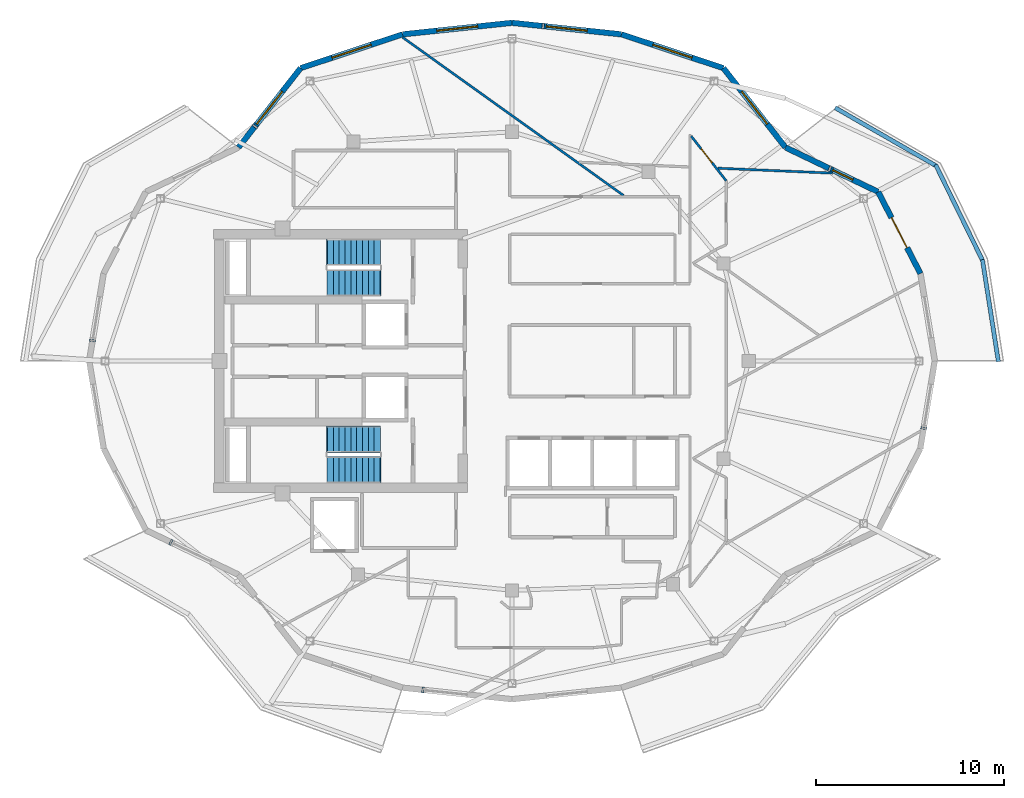
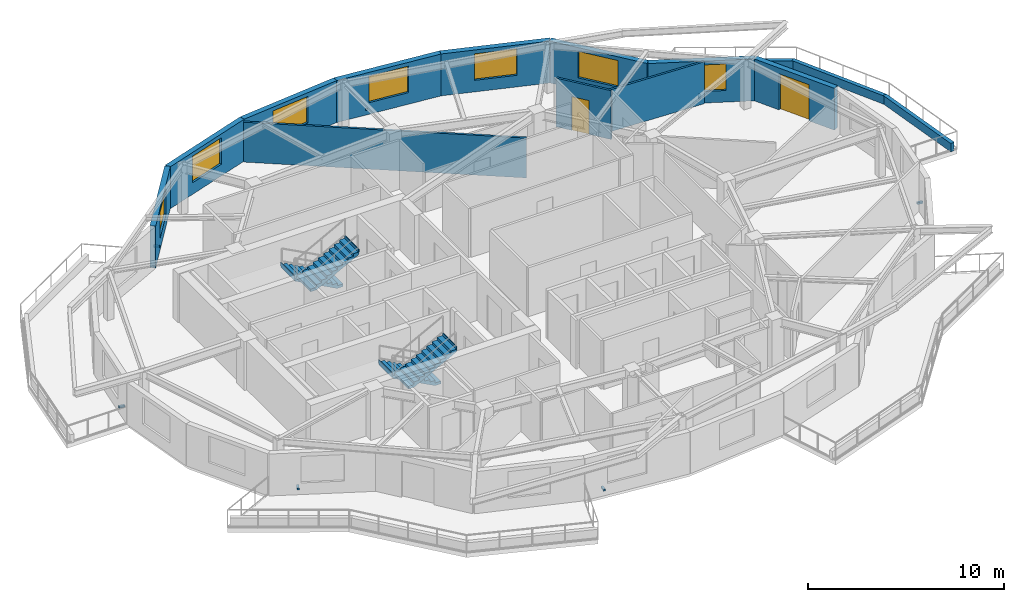
# One storey, part 7 of 9: 14 walls, 7 discrete accessories, 7 windows, 4 stair flights, 2 doors, 9 openings, 2 elements without a shape of their own.
"""IFC4 building model written with IfcOpenShell, lengths in metres."""

from ifc_helpers import new_model, si_unit, direction, frame, frame_2d, origin, origin_2d, place, context, subcontext, project, spatial, polyline, rectangle, outline, extrude, material, layer, layer_set, type_object, element, fill, aggregate, save


model = new_model("IFC4")

# Units and contexts
model_context = context("Model", 3, precision=1e-05, world=origin(), true_north=direction((0.0, 1.0)))
body_context = subcontext(model_context, "Body", "Model", "MODEL_VIEW")
ifc_project = project(units=[si_unit("LENGTHUNIT", "METRE"), si_unit("AREAUNIT", "SQUARE_METRE"), si_unit("VOLUMEUNIT", "CUBIC_METRE"), si_unit("PLANEANGLEUNIT", "RADIAN"), si_unit("MASSUNIT", "GRAM", prefix="KILO")], contexts=[model_context])

# Site, building, storey
site_placement = place(None, origin())
site = spatial("IfcSite", under=ifc_project, at=site_placement, CompositionType="ELEMENT")
building_placement = place(site_placement, origin())
building = spatial("IfcBuilding", under=site, at=building_placement, Name="Kolvaren Gate Tower and Convention Centre", CompositionType="ELEMENT")
storey_placement = place(building_placement, frame((0.0, 0.0, 249.199951171875)))
storey = spatial("IfcBuildingStorey", under=building, at=storey_placement, Name="L67", CompositionType="ELEMENT", Elevation=249.199951171875)

# Wall, opening, door
ifc_material_1 = material(Name="Fire-Rated Acoustic Gypsum Stud Partition", Category="gypsum")
ifc_layer_1 = layer(ifc_material_1, 0.1201171875)
ifc_layer_set_1 = layer_set([ifc_layer_1], Name="Fire-Rated Acoustic Gypsum Stud Partition")
wall_type_1 = type_object("IfcWallType", Name="ARCH-WL-PART-120", PredefinedType="PARTITIONING", material=ifc_layer_set_1)
wall_1_placement = place(storey_placement, frame((39.662109375, 38.96875, 0.0), z_axis=(0.0, 0.0, 1.0), x_axis=(0.616500468458, -0.787354540465, 0.0)))
wall_1 = element("IfcWall", 1, at=wall_1_placement, inside=storey, type_object=wall_type_1, Name="Interior Partition WL-L67-INT-037", PredefinedType="PARTITIONING", context=body_context, shape_type="SweptSolid", body=[
    extrude(rectangle(XDim=3.013671875, YDim=0.1201171875, at=frame_2d((1.5068359375, 0.0))), origin(), (0.0, 0.0, 1.0), 3.030029296875),
])
opening_1_placement = place(wall_1_placement, frame((0.84912109375, 0.0, 0.0)))
opening_1 = element("IfcOpeningElement", 2, at=opening_1_placement, cuts=wall_1, Name="Opening DR-01", PredefinedType="OPENING", context=body_context, shape_type="SweptSolid", body=[
    extrude(rectangle(XDim=0.949951171875, YDim=2.10009765625, at=frame_2d((0.47509765625, 1.050048828125))), frame((0.0, 0.070068359375, 0.0), z_axis=(0.0, -1.0, 0.0), x_axis=(1.0, 0.0, 0.0)), (0.0, 0.0, 1.0), 0.14013671875),
])
ifc_material_2 = material(Name="Painted Architectural Steelwork ASTM A500 Grade C 345 MPa", Category="steel")
door_type_1 = type_object("IfcDoorType", Name="ARCH-DR-RISER-950", OperationType="SINGLE_SWING_RIGHT", PredefinedType="DOOR", material=ifc_material_2)
door_1_placement = place(opening_1_placement, origin())
door_1 = element("IfcDoor", 3, at=door_1_placement, inside=storey, type_object=door_type_1, Name="Resident Private Study Door", OperationType="SINGLE_SWING_RIGHT", OverallHeight=2.10009765625, OverallWidth=0.949951171875, PredefinedType="DOOR", context=body_context, shape_type="SweptSolid", body=[
    extrude(rectangle(XDim=0.949951171875, YDim=2.10009765625, at=frame_2d((0.47509765625, 1.050048828125))), frame((0.0, 0.02490234375, 0.0), z_axis=(0.0, -1.0, 0.0), x_axis=(1.0, 0.0, 0.0)), (0.0, 0.0, 1.0), 0.050048828125),
])
fill(opening_1, door_1)

# Walls
wall_2_placement = place(storey_placement, frame((24.302001953125, 44.226806640625, 0.0), z_axis=(0.0, 0.0, 1.0), x_axis=(0.813249507018, -0.581915147883, 0.0)))
element("IfcWall", 4, at=wall_2_placement, inside=storey, type_object=wall_type_1, Name="Interior Partition WL-L67-INT-072", PredefinedType="PARTITIONING", context=body_context, shape_type="SweptSolid", body=[
    extrude(rectangle(XDim=14.46044921875, YDim=0.1201171875, at=frame_2d((7.230224609375, 0.0))), origin(), (0.0, 0.0, 1.0), 2.47802734375),
])
wall_3_placement = place(storey_placement, frame((41.076904296875, 37.262451171875, 0.0), z_axis=(0.0, 0.0, 1.0), x_axis=(0.999080744008, -0.042868017834, 0.0)))
element("IfcWall", 5, at=wall_3_placement, inside=storey, type_object=wall_type_1, Name="Interior Partition WL-L67-INT-075", PredefinedType="PARTITIONING", context=body_context, shape_type="SweptSolid", body=[
    extrude(rectangle(XDim=6.105224609375, YDim=0.1201171875, at=frame_2d((3.052734375, 0.0))), origin(), (0.0, 0.0, 1.0), 2.60498046875),
])
ifc_material_3 = material(Name="Piedmont Cream Honed Limestone Cladding", Category="masonry")
ifc_layer_2 = layer(ifc_material_3, 0.219970703125)
ifc_layer_set_2 = layer_set([ifc_layer_2], Name="Piedmont Cream Honed Limestone Cladding")
wall_type_2 = type_object("IfcWallType", Name="ARCH-WL-PLANTER-220", PredefinedType="PARAPET", material=ifc_layer_set_2)
wall_4_placement = place(storey_placement, frame((55.158447265625, 32.396484375, 0.0), z_axis=(0.0, 0.0, 1.0), x_axis=(0.154441975483, -0.988001860428, 0.0)))
element("IfcWall", 6, at=wall_4_placement, inside=storey, type_object=wall_type_2, Name="Vertical-Forest Balcony Stone Planter Kerb PK-L67-1.1", PredefinedType="PARAPET", context=body_context, shape_type="SweptSolid", body=[
    extrude(rectangle(XDim=5.49169921875, YDim=0.219970703125, at=frame_2d((2.745849609375, 0.0))), origin(), (0.0, 0.0, 1.0), 0.52001953125),
])
wall_5_placement = place(storey_placement, frame((52.66748046875, 37.446533203125, 0.0), z_axis=(0.0, 0.0, 1.0), x_axis=(0.440058847499, -0.897968936399, 0.0)))
element("IfcWall", 7, at=wall_5_placement, inside=storey, type_object=wall_type_2, Name="Vertical-Forest Balcony Stone Planter Kerb PK-L67-1.2", PredefinedType="PARAPET", context=body_context, shape_type="SweptSolid", body=[
    extrude(rectangle(XDim=5.689453125, YDim=0.219970703125, at=frame_2d((2.8447265625, 0.0))), origin(), (0.0, 0.0, 1.0), 0.52001953125),
])
wall_6_placement = place(storey_placement, frame((47.3212890625, 40.4794921875, 0.0), z_axis=(0.0, 0.0, 1.0), x_axis=(0.866901621005, -0.49847926687, 0.0)))
element("IfcWall", 8, at=wall_6_placement, inside=storey, type_object=wall_type_2, Name="Vertical-Forest Balcony Stone Planter Kerb PK-L67-1.3", PredefinedType="PARAPET", context=body_context, shape_type="SweptSolid", body=[
    extrude(rectangle(XDim=6.196533203125, YDim=0.219970703125, at=frame_2d((3.09814453125, 0.0))), origin(), (0.0, 0.0, 1.0), 0.52001953125),
])

# Wall, opening, door
ifc_layer_3 = layer(ifc_material_3, 0.300048828125)
ifc_layer_set_3 = layer_set([ifc_layer_3], Name="Piedmont Cream Honed Limestone Cladding")
wall_type_3 = type_object("IfcWallType", Name="ARCH-WL-STONE-300", PredefinedType="SOLIDWALL", material=ifc_layer_set_3)
wall_7_placement = place(storey_placement, frame((49.610595703125, 36.0, 0.0), z_axis=(0.0, 0.0, 1.0), x_axis=(0.459793771602, -0.888025724625, 0.0)))
wall_7 = element("IfcWall", 9, at=wall_7_placement, inside=storey, type_object=wall_type_3, Name="Tower L67 Honed Stone Spandrel Wall EW-01", PredefinedType="SOLIDWALL", context=body_context, shape_type="SweptSolid", body=[
    extrude(rectangle(XDim=4.888671875, YDim=0.300048828125, at=frame_2d((2.4443359375, 0.0))), origin(), (0.0, 0.0, 1.0), 2.60498046875),
])
opening_2_placement = place(wall_7_placement, frame((1.5439453125, 0.0, 0.0)))
opening_2 = element("IfcOpeningElement", 10, at=opening_2_placement, cuts=wall_7, Name="Opening DB-01", PredefinedType="OPENING", context=body_context, shape_type="SweptSolid", body=[
    extrude(rectangle(XDim=1.800048828125, YDim=2.25, at=frame_2d((0.89990234375, 1.125))), frame((0.0, 0.159912109375, 0.0), z_axis=(0.0, -1.0, 0.0), x_axis=(1.0, 0.0, 0.0)), (0.0, 0.0, 1.0), 0.320068359375),
])
ifc_material_4 = material(Name="Anodized Architectural Aluminium Alloy 6063-T6", Category="aluminium")
door_type_2 = type_object("IfcDoorType", Name="ARCH-DR-BALC-1800", OperationType="SLIDING_TO_LEFT", PredefinedType="DOOR", material=ifc_material_4)
door_2_placement = place(opening_2_placement, origin())
door_2 = element("IfcDoor", 11, at=door_2_placement, inside=storey, type_object=door_type_2, Name="Planted Sky Terrace Access Door DB-L67-01", OperationType="SLIDING_TO_LEFT", OverallHeight=2.25, OverallWidth=1.800048828125, PredefinedType="DOOR", context=body_context, shape_type="SweptSolid", body=[
    extrude(rectangle(XDim=1.800048828125, YDim=2.25, at=frame_2d((0.89990234375, 1.125))), frame((0.0, 0.02490234375, 0.0), z_axis=(0.0, -1.0, 0.0), x_axis=(1.0, 0.0, 0.0)), (0.0, 0.0, 1.0), 0.050048828125),
])
fill(opening_2, door_2)

# Wall, opening, window
wall_8_placement = place(storey_placement, frame((44.67724609375, 38.370361328125, 0.0), z_axis=(0.0, 0.0, 1.0), x_axis=(0.901355238351, -0.433080517106, 0.0)))
wall_8 = element("IfcWall", 12, at=wall_8_placement, inside=storey, type_object=wall_type_3, Name="Tower L67 Honed Stone Spandrel Wall EW-02", PredefinedType="SOLIDWALL", context=body_context, shape_type="SweptSolid", body=[
    extrude(rectangle(XDim=5.47314453125, YDim=0.300048828125, at=frame_2d((2.736572265625, 0.0))), origin(), (0.0, 0.0, 1.0), 2.60498046875),
])
opening_3_placement = place(wall_8_placement, frame((2.780029296875, 0.0, 0.719970703125)))
opening_3 = element("IfcOpeningElement", 13, at=opening_3_placement, cuts=wall_8, Name="Opening W-04", PredefinedType="OPENING", context=body_context, shape_type="SweptSolid", body=[
    extrude(rectangle(XDim=1.199951171875, YDim=1.64990234375, at=frame_2d((0.60009765625, 0.824951171875))), frame((0.0, 0.159912109375, 0.0), z_axis=(0.0, -1.0, 0.0), x_axis=(1.0, 0.0, 0.0)), (0.0, 0.0, 1.0), 0.320068359375),
])
ifc_material_5 = material(Name="Low-E Triple Insulated Glazing Unit 44 mm", Category="glass")
window_type_1 = type_object("IfcWindowType", Name="ARCH-WN-NARROW-1200", PartitioningType="SINGLE_PANEL", PredefinedType="WINDOW", material=ifc_material_5)
window_1_placement = place(opening_3_placement, origin())
window_1 = element("IfcWindow", 14, at=window_1_placement, inside=storey, type_object=window_type_1, Name="Tower L67 Punched Stone Facade Window W-02", OverallHeight=1.64990234375, OverallWidth=1.199951171875, PartitioningType="SINGLE_PANEL", PredefinedType="WINDOW", context=body_context, shape_type="SweptSolid", body=[
    extrude(rectangle(XDim=1.199951171875, YDim=1.64990234375, at=frame_2d((0.60009765625, 0.824951171875))), frame((0.0, 0.030029296875, 0.0), z_axis=(0.0, -1.0, 0.0), x_axis=(1.0, 0.0, 0.0)), (0.0, 0.0, 1.0), 0.06005859375),
])
fill(opening_3, window_1)

wall_9_placement = place(storey_placement, frame((41.375, 42.58837890625, 0.0), z_axis=(0.0, 0.0, 1.0), x_axis=(0.61644588519, -0.787397276241, 0.0)))
wall_9 = element("IfcWall", 15, at=wall_9_placement, inside=storey, type_object=wall_type_3, Name="Tower L67 Honed Stone Spandrel Wall EW-03", PredefinedType="SOLIDWALL", context=body_context, shape_type="SweptSolid", body=[
    extrude(rectangle(XDim=5.35693359375, YDim=0.300048828125, at=frame_2d((2.678466796875, 0.0))), origin(), (0.0, 0.0, 1.0), 2.60498046875),
])
opening_4_placement = place(wall_9_placement, frame((1.5791015625, 0.0, 0.719970703125)))
opening_4 = element("IfcOpeningElement", 16, at=opening_4_placement, cuts=wall_9, Name="Opening W-03", PredefinedType="OPENING", context=body_context, shape_type="SweptSolid", body=[
    extrude(rectangle(XDim=2.199951171875, YDim=1.64990234375, at=frame_2d((1.10009765625, 0.824951171875))), frame((0.0, 0.159912109375, 0.0), z_axis=(0.0, -1.0, 0.0), x_axis=(1.0, 0.0, 0.0)), (0.0, 0.0, 1.0), 0.320068359375),
])
window_type_2 = type_object("IfcWindowType", Name="ARCH-WN-RES-2200", PartitioningType="SINGLE_PANEL", PredefinedType="WINDOW", material=ifc_material_5)
window_2_placement = place(opening_4_placement, origin())
window_2 = element("IfcWindow", 17, at=window_2_placement, inside=storey, type_object=window_type_2, Name="Tower L67 Punched Stone Facade Window W-03", OverallHeight=1.64990234375, OverallWidth=2.199951171875, PartitioningType="SINGLE_PANEL", PredefinedType="WINDOW", context=body_context, shape_type="SweptSolid", body=[
    extrude(rectangle(XDim=2.199951171875, YDim=1.64990234375, at=frame_2d((1.10009765625, 0.824951171875))), frame((0.0, 0.030029296875, 0.0), z_axis=(0.0, -1.0, 0.0), x_axis=(1.0, 0.0, 0.0)), (0.0, 0.0, 1.0), 0.06005859375),
])
fill(opening_4, window_2)

wall_10_placement = place(storey_placement, frame((35.948486328125, 44.38671875, 0.0), z_axis=(0.0, 0.0, 1.0), x_axis=(0.949232769585, -0.314574552605, 0.0)))
wall_10 = element("IfcWall", 18, at=wall_10_placement, inside=storey, type_object=wall_type_3, Name="Tower L67 Honed Stone Spandrel Wall EW-04", PredefinedType="SOLIDWALL", context=body_context, shape_type="SweptSolid", body=[
    extrude(rectangle(XDim=5.716796875, YDim=0.300048828125, at=frame_2d((2.8583984375, 0.0))), origin(), (0.0, 0.0, 1.0), 2.60498046875),
])
opening_5_placement = place(wall_10_placement, frame((1.758056640625, 0.0, 0.719970703125)))
opening_5 = element("IfcOpeningElement", 19, at=opening_5_placement, cuts=wall_10, Name="Opening W-03", PredefinedType="OPENING", context=body_context, shape_type="SweptSolid", body=[
    extrude(rectangle(XDim=2.199951171875, YDim=1.64990234375, at=frame_2d((1.10009765625, 0.824951171875))), frame((0.0, 0.159912109375, 0.0), z_axis=(0.0, -1.0, 0.0), x_axis=(1.0, 0.0, 0.0)), (0.0, 0.0, 1.0), 0.320068359375),
])
window_3_placement = place(opening_5_placement, origin())
window_3 = element("IfcWindow", 20, at=window_3_placement, inside=storey, type_object=window_type_2, Name="Tower L67 Punched Stone Facade Window W-04", OverallHeight=1.64990234375, OverallWidth=2.199951171875, PartitioningType="SINGLE_PANEL", PredefinedType="WINDOW", context=body_context, shape_type="SweptSolid", body=[
    extrude(rectangle(XDim=2.199951171875, YDim=1.64990234375, at=frame_2d((1.10009765625, 0.824951171875))), frame((0.0, 0.030029296875, 0.0), z_axis=(0.0, -1.0, 0.0), x_axis=(1.0, 0.0, 0.0)), (0.0, 0.0, 1.0), 0.06005859375),
])
fill(opening_5, window_3)

wall_11_placement = place(storey_placement, frame((30.125, 45.0, 0.0), z_axis=(0.0, 0.0, 1.0), x_axis=(0.994500425783, -0.10473253132, 0.0)))
wall_11 = element("IfcWall", 21, at=wall_11_placement, inside=storey, type_object=wall_type_3, Name="Tower L67 Honed Stone Spandrel Wall EW-05", PredefinedType="SOLIDWALL", context=body_context, shape_type="SweptSolid", body=[
    extrude(rectangle(XDim=5.855712890625, YDim=0.300048828125, at=frame_2d((2.927734375, 0.0))), origin(), (0.0, 0.0, 1.0), 2.60498046875),
])
opening_6_placement = place(wall_11_placement, frame((1.827880859375, 0.0, 0.719970703125)))
opening_6 = element("IfcOpeningElement", 22, at=opening_6_placement, cuts=wall_11, Name="Opening W-03", PredefinedType="OPENING", context=body_context, shape_type="SweptSolid", body=[
    extrude(rectangle(XDim=2.199951171875, YDim=1.64990234375, at=frame_2d((1.10009765625, 0.824951171875))), frame((0.0, 0.159912109375, 0.0), z_axis=(0.0, -1.0, 0.0), x_axis=(1.0, 0.0, 0.0)), (0.0, 0.0, 1.0), 0.320068359375),
])
window_4_placement = place(opening_6_placement, origin())
window_4 = element("IfcWindow", 23, at=window_4_placement, inside=storey, type_object=window_type_2, Name="Tower L67 Punched Stone Facade Window W-05", OverallHeight=1.64990234375, OverallWidth=2.199951171875, PartitioningType="SINGLE_PANEL", PredefinedType="WINDOW", context=body_context, shape_type="SweptSolid", body=[
    extrude(rectangle(XDim=2.199951171875, YDim=1.64990234375, at=frame_2d((1.10009765625, 0.824951171875))), frame((0.0, 0.030029296875, 0.0), z_axis=(0.0, -1.0, 0.0), x_axis=(1.0, 0.0, 0.0)), (0.0, 0.0, 1.0), 0.06005859375),
])
fill(opening_6, window_4)

wall_12_placement = place(storey_placement, frame((24.301513671875, 44.38671875, 0.0), z_axis=(0.0, 0.0, 1.0), x_axis=(0.994500425783, 0.10473253132, 0.0)))
wall_12 = element("IfcWall", 24, at=wall_12_placement, inside=storey, type_object=wall_type_3, Name="Tower L67 Honed Stone Spandrel Wall EW-06", PredefinedType="SOLIDWALL", context=body_context, shape_type="SweptSolid", body=[
    extrude(rectangle(XDim=5.855712890625, YDim=0.300048828125, at=frame_2d((2.927734375, 0.0))), origin(), (0.0, 0.0, 1.0), 2.60498046875),
])
opening_7_placement = place(wall_12_placement, frame((1.827880859375, 0.0, 0.719970703125)))
opening_7 = element("IfcOpeningElement", 25, at=opening_7_placement, cuts=wall_12, Name="Opening W-03", PredefinedType="OPENING", context=body_context, shape_type="SweptSolid", body=[
    extrude(rectangle(XDim=2.199951171875, YDim=1.64990234375, at=frame_2d((1.10009765625, 0.824951171875))), frame((0.0, 0.159912109375, 0.0), z_axis=(0.0, -1.0, 0.0), x_axis=(1.0, 0.0, 0.0)), (0.0, 0.0, 1.0), 0.320068359375),
])
window_5_placement = place(opening_7_placement, origin())
window_5 = element("IfcWindow", 26, at=window_5_placement, inside=storey, type_object=window_type_2, Name="Tower L67 Punched Stone Facade Window W-06", OverallHeight=1.64990234375, OverallWidth=2.199951171875, PartitioningType="SINGLE_PANEL", PredefinedType="WINDOW", context=body_context, shape_type="SweptSolid", body=[
    extrude(rectangle(XDim=2.199951171875, YDim=1.64990234375, at=frame_2d((1.10009765625, 0.824951171875))), frame((0.0, 0.030029296875, 0.0), z_axis=(0.0, -1.0, 0.0), x_axis=(1.0, 0.0, 0.0)), (0.0, 0.0, 1.0), 0.06005859375),
])
fill(opening_7, window_5)

wall_13_placement = place(storey_placement, frame((18.875, 42.58837890625, 0.0), z_axis=(0.0, 0.0, 1.0), x_axis=(0.949232769585, 0.314574552605, 0.0)))
wall_13 = element("IfcWall", 27, at=wall_13_placement, inside=storey, type_object=wall_type_3, Name="Tower L67 Honed Stone Spandrel Wall EW-07", PredefinedType="SOLIDWALL", context=body_context, shape_type="SweptSolid", body=[
    extrude(rectangle(XDim=5.716796875, YDim=0.300048828125, at=frame_2d((2.8583984375, 0.0))), origin(), (0.0, 0.0, 1.0), 2.60498046875),
])
opening_8_placement = place(wall_13_placement, frame((1.758056640625, 0.0, 0.719970703125)))
opening_8 = element("IfcOpeningElement", 28, at=opening_8_placement, cuts=wall_13, Name="Opening W-03", PredefinedType="OPENING", context=body_context, shape_type="SweptSolid", body=[
    extrude(rectangle(XDim=2.199951171875, YDim=1.64990234375, at=frame_2d((1.10009765625, 0.824951171875))), frame((0.0, 0.159912109375, 0.0), z_axis=(0.0, -1.0, 0.0), x_axis=(1.0, 0.0, 0.0)), (0.0, 0.0, 1.0), 0.320068359375),
])
window_6_placement = place(opening_8_placement, origin())
window_6 = element("IfcWindow", 29, at=window_6_placement, inside=storey, type_object=window_type_2, Name="Tower L67 Punched Stone Facade Window W-07", OverallHeight=1.64990234375, OverallWidth=2.199951171875, PartitioningType="SINGLE_PANEL", PredefinedType="WINDOW", context=body_context, shape_type="SweptSolid", body=[
    extrude(rectangle(XDim=2.199951171875, YDim=1.64990234375, at=frame_2d((1.10009765625, 0.824951171875))), frame((0.0, 0.030029296875, 0.0), z_axis=(0.0, -1.0, 0.0), x_axis=(1.0, 0.0, 0.0)), (0.0, 0.0, 1.0), 0.06005859375),
])
fill(opening_8, window_6)

wall_14_placement = place(storey_placement, frame((15.57275390625, 38.370361328125, 0.0), z_axis=(0.0, 0.0, 1.0), x_axis=(0.61644588519, 0.787397276241, 0.0)))
wall_14 = element("IfcWall", 30, at=wall_14_placement, inside=storey, type_object=wall_type_3, Name="Tower L67 Honed Stone Spandrel Wall EW-08", PredefinedType="SOLIDWALL", context=body_context, shape_type="SweptSolid", body=[
    extrude(rectangle(XDim=5.35693359375, YDim=0.300048828125, at=frame_2d((2.678466796875, 0.0))), origin(), (0.0, 0.0, 1.0), 2.60498046875),
])
opening_9_placement = place(wall_14_placement, frame((1.5791015625, 0.0, 0.719970703125)))
opening_9 = element("IfcOpeningElement", 31, at=opening_9_placement, cuts=wall_14, Name="Opening W-03", PredefinedType="OPENING", context=body_context, shape_type="SweptSolid", body=[
    extrude(rectangle(XDim=2.199951171875, YDim=1.64990234375, at=frame_2d((1.10009765625, 0.824951171875))), frame((0.0, 0.159912109375, 0.0), z_axis=(0.0, -1.0, 0.0), x_axis=(1.0, 0.0, 0.0)), (0.0, 0.0, 1.0), 0.320068359375),
])
window_7_placement = place(opening_9_placement, origin())
window_7 = element("IfcWindow", 32, at=window_7_placement, inside=storey, type_object=window_type_2, Name="Tower L67 Punched Stone Facade Window W-08", OverallHeight=1.64990234375, OverallWidth=2.199951171875, PartitioningType="SINGLE_PANEL", PredefinedType="WINDOW", context=body_context, shape_type="SweptSolid", body=[
    extrude(rectangle(XDim=2.199951171875, YDim=1.64990234375, at=frame_2d((1.10009765625, 0.824951171875))), frame((0.0, 0.030029296875, 0.0), z_axis=(0.0, -1.0, 0.0), x_axis=(1.0, 0.0, 0.0)), (0.0, 0.0, 1.0), 0.06005859375),
])
fill(opening_9, window_7)

# Stair, stair flights
ifc_material_6 = material(Name="Concrete C50/60", Category="concrete")
stair_type = type_object("IfcStairType", Name="STR-STAIR-CORE", PredefinedType="HALF_TURN_STAIR", material=ifc_material_6)
stair_1_placement = place(storey_placement, origin())
stair_1 = element("IfcStair", 33, at=stair_1_placement, inside=storey, type_object=stair_type, Name="L67 Tower North Exit Stair ST-T1", PredefinedType="HALF_TURN_STAIR")
stair_flight_type = type_object("IfcStairFlightType", Name="STR-SFL-1420", PredefinedType="STRAIGHT", material=ifc_material_6)
stair_flight_1_placement = place(storey_placement, frame((23.10009765625, 32.7900390625, 0.0), z_axis=(0.0, 0.0, 1.0), x_axis=(-1.0, 0.0, 0.0)))
stair_flight_1 = element("IfcStairFlight", 34, at=stair_flight_1_placement, type_object=stair_flight_type, Name="ST-T1 flight 1", NumberOfRisers=10, NumberOfTreads=9, PredefinedType="STRAIGHT", RiserHeight=0.165, TreadLength=0.31, context=body_context, shape_type="SweptSolid", body=[
    extrude(outline(polyline([(-0.034912109375, 0.0), (-0.034912109375, 0.1650390625), (0.31005859375, 0.1650390625), (0.31005859375, 0.330078125), (0.6201171875, 0.330078125), (0.6201171875, 0.4951171875), (0.929931640625, 0.4951171875), (0.929931640625, 0.659912109375), (1.239990234375, 0.659912109375), (1.239990234375, 0.824951171875), (1.550048828125, 0.824951171875), (1.550048828125, 0.989990234375), (1.860107421875, 0.989990234375), (1.860107421875, 1.155029296875), (2.169921875, 1.155029296875), (2.169921875, 1.320068359375), (2.47998046875, 1.320068359375), (2.47998046875, 1.485107421875), (2.7900390625, 1.485107421875), (2.7900390625, 1.64990234375), (2.8349609375, 1.64990234375), (2.8349609375, 1.489990234375), (2.7900390625, 1.315185546875), (0.319091796875, 0.0), (-0.034912109375, 0.0)])), frame((0.0, 0.7099609375, 0.0), z_axis=(0.0, -1.0, 0.0), x_axis=(1.0, 0.0, 0.0)), (0.0, 0.0, 1.0), 1.419921875),
])
stair_flight_2_placement = place(storey_placement, frame((20.31005859375, 31.169921875, 1.650146484375), z_axis=(0.0, 0.0, 1.0), x_axis=(1.0, 0.0, 0.0)))
stair_flight_2 = element("IfcStairFlight", 35, at=stair_flight_2_placement, type_object=stair_flight_type, Name="ST-T1 flight 2", NumberOfRisers=10, NumberOfTreads=9, PredefinedType="STRAIGHT", RiserHeight=0.165, TreadLength=0.31, context=body_context, shape_type="SweptSolid", body=[
    extrude(outline(polyline([(-0.034912109375, 0.0), (-0.034912109375, 0.1650390625), (0.31005859375, 0.1650390625), (0.31005859375, 0.330078125), (0.6201171875, 0.330078125), (0.6201171875, 0.4951171875), (0.929931640625, 0.4951171875), (0.929931640625, 0.659912109375), (1.239990234375, 0.659912109375), (1.239990234375, 0.824951171875), (1.550048828125, 0.824951171875), (1.550048828125, 0.989990234375), (1.860107421875, 0.989990234375), (1.860107421875, 1.155029296875), (2.169921875, 1.155029296875), (2.169921875, 1.320068359375), (2.47998046875, 1.320068359375), (2.47998046875, 1.485107421875), (2.7900390625, 1.485107421875), (2.7900390625, 1.64990234375), (2.8349609375, 1.64990234375), (2.8349609375, 1.489990234375), (2.7900390625, 1.315185546875), (0.319091796875, 0.0), (-0.034912109375, 0.0)])), frame((0.0, 0.7099609375, 0.0), z_axis=(0.0, -1.0, 0.0), x_axis=(1.0, 0.0, 0.0)), (0.0, 0.0, 1.0), 1.419921875),
])
aggregate(stair_1, [stair_flight_1, stair_flight_2])

stair_2_placement = place(storey_placement, origin())
stair_2 = element("IfcStair", 36, at=stair_2_placement, inside=storey, type_object=stair_type, Name="L67 Tower South Exit Stair ST-T2", PredefinedType="HALF_TURN_STAIR")
stair_flight_3_placement = place(storey_placement, frame((23.10009765625, 22.830078125, 0.0), z_axis=(0.0, 0.0, 1.0), x_axis=(-1.0, 0.0, 0.0)))
stair_flight_3 = element("IfcStairFlight", 37, at=stair_flight_3_placement, type_object=stair_flight_type, Name="ST-T2 flight 1", NumberOfRisers=10, NumberOfTreads=9, PredefinedType="STRAIGHT", RiserHeight=0.165, TreadLength=0.31, context=body_context, shape_type="SweptSolid", body=[
    extrude(outline(polyline([(-0.034912109375, 0.0), (-0.034912109375, 0.1650390625), (0.31005859375, 0.1650390625), (0.31005859375, 0.330078125), (0.6201171875, 0.330078125), (0.6201171875, 0.4951171875), (0.929931640625, 0.4951171875), (0.929931640625, 0.659912109375), (1.239990234375, 0.659912109375), (1.239990234375, 0.824951171875), (1.550048828125, 0.824951171875), (1.550048828125, 0.989990234375), (1.860107421875, 0.989990234375), (1.860107421875, 1.155029296875), (2.169921875, 1.155029296875), (2.169921875, 1.320068359375), (2.47998046875, 1.320068359375), (2.47998046875, 1.485107421875), (2.7900390625, 1.485107421875), (2.7900390625, 1.64990234375), (2.8349609375, 1.64990234375), (2.8349609375, 1.489990234375), (2.7900390625, 1.315185546875), (0.319091796875, 0.0), (-0.034912109375, 0.0)])), frame((0.0, 0.7099609375, 0.0), z_axis=(0.0, -1.0, 0.0), x_axis=(1.0, 0.0, 0.0)), (0.0, 0.0, 1.0), 1.419921875),
])
stair_flight_4_placement = place(storey_placement, frame((20.31005859375, 21.2099609375, 1.650146484375), z_axis=(0.0, 0.0, 1.0), x_axis=(1.0, 0.0, 0.0)))
stair_flight_4 = element("IfcStairFlight", 38, at=stair_flight_4_placement, type_object=stair_flight_type, Name="ST-T2 flight 2", NumberOfRisers=10, NumberOfTreads=9, PredefinedType="STRAIGHT", RiserHeight=0.165, TreadLength=0.31, context=body_context, shape_type="SweptSolid", body=[
    extrude(outline(polyline([(-0.034912109375, 0.0), (-0.034912109375, 0.1650390625), (0.31005859375, 0.1650390625), (0.31005859375, 0.330078125), (0.6201171875, 0.330078125), (0.6201171875, 0.4951171875), (0.929931640625, 0.4951171875), (0.929931640625, 0.659912109375), (1.239990234375, 0.659912109375), (1.239990234375, 0.824951171875), (1.550048828125, 0.824951171875), (1.550048828125, 0.989990234375), (1.860107421875, 0.989990234375), (1.860107421875, 1.155029296875), (2.169921875, 1.155029296875), (2.169921875, 1.320068359375), (2.47998046875, 1.320068359375), (2.47998046875, 1.485107421875), (2.7900390625, 1.485107421875), (2.7900390625, 1.64990234375), (2.8349609375, 1.64990234375), (2.8349609375, 1.489990234375), (2.7900390625, 1.315185546875), (0.319091796875, 0.0), (-0.034912109375, 0.0)])), frame((0.0, 0.7099609375, 0.0), z_axis=(0.0, -1.0, 0.0), x_axis=(1.0, 0.0, 0.0)), (0.0, 0.0, 1.0), 1.419921875),
])
aggregate(stair_2, [stair_flight_3, stair_flight_4])

# Discrete accessories
discrete_accessory_type = type_object("IfcDiscreteAccessoryType", Name="ARCH-ACC-BRACKET-120", PredefinedType="BRACKET", material=ifc_material_4)
for number, where, z_axis, x_axis, name in (
    (39, (47.038818359375, 37.235595703125, 0.2900390625), (0.0, 0.0, 1.0), (0.901357634097, -0.433075530889, 0.0), "Ceramic Fin Wall Anchor Bracket FBK-L67-02"),
    (40, (31.78369140625, 44.8251953125, 0.2900390625), (0.0, 0.0, 1.0), (0.994499981166, -0.104736753152, 0.0), "Ceramic Fin Wall Anchor Bracket FBK-L67-05"),
    (41, (16.447509765625, 39.487548828125, 0.2900390625), (0.0, 0.0, 1.0), (0.616435493395, 0.787405411769, 0.0), "Ceramic Fin Wall Anchor Bracket FBK-L67-08"),
    (42, (7.8037109375, 28.08642578125, 0.2900390625), (0.0, 0.0, 1.0), (0.162389178836, 0.986726788223, 0.0), "Ceramic Fin Wall Anchor Bracket FBK-L67-11"),
    (43, (11.970703125, 17.3603515625, 0.2900390625), (0.0, 0.0, 1.0), (0.901357634097, -0.433075530889, 0.0), "Ceramic Fin Wall Anchor Bracket FBK-L67-14"),
    (44, (25.385498046875, 9.4990234375, 0.2900390625), (0.0, 0.0, 1.0), (0.994499981166, -0.104736753152, 0.0), "Ceramic Fin Wall Anchor Bracket FBK-L67-17"),
    (45, (52.037109375, 23.427734375, 0.2900390625), (0.0, 0.0, 1.0), (0.162389178836, 0.986726788223, 0.0), "Ceramic Fin Wall Anchor Bracket FBK-L67-23"),
):
    element("IfcDiscreteAccessory", number, at=place(storey_placement, frame(where, z_axis=z_axis, x_axis=x_axis)), inside=storey, type_object=discrete_accessory_type, Name=name, PredefinedType="BRACKET", context=body_context, shape_type="SweptSolid", body=[
        extrude(rectangle(XDim=0.1201171875, YDim=0.320068359375, at=origin_2d()), origin(), (0.0, 0.0, 1.0), 0.1201171875),
    ])

save(model, "model.ifc")
